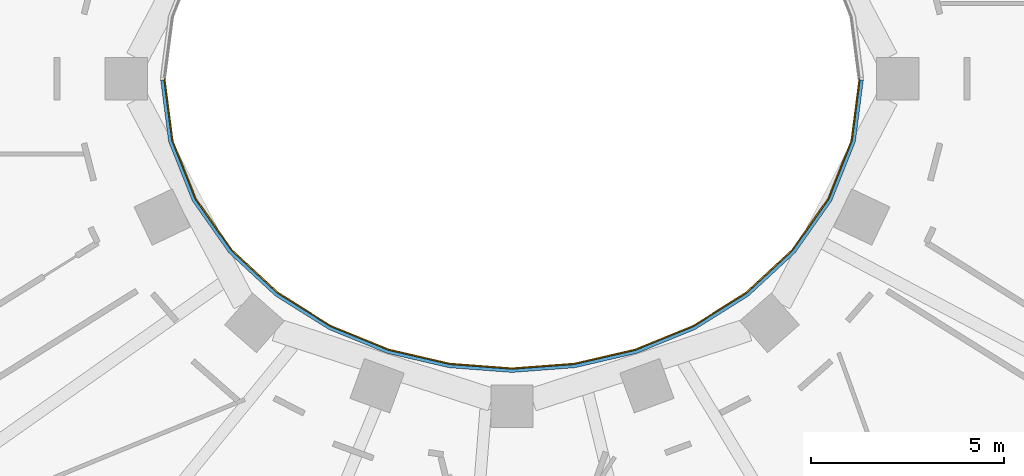
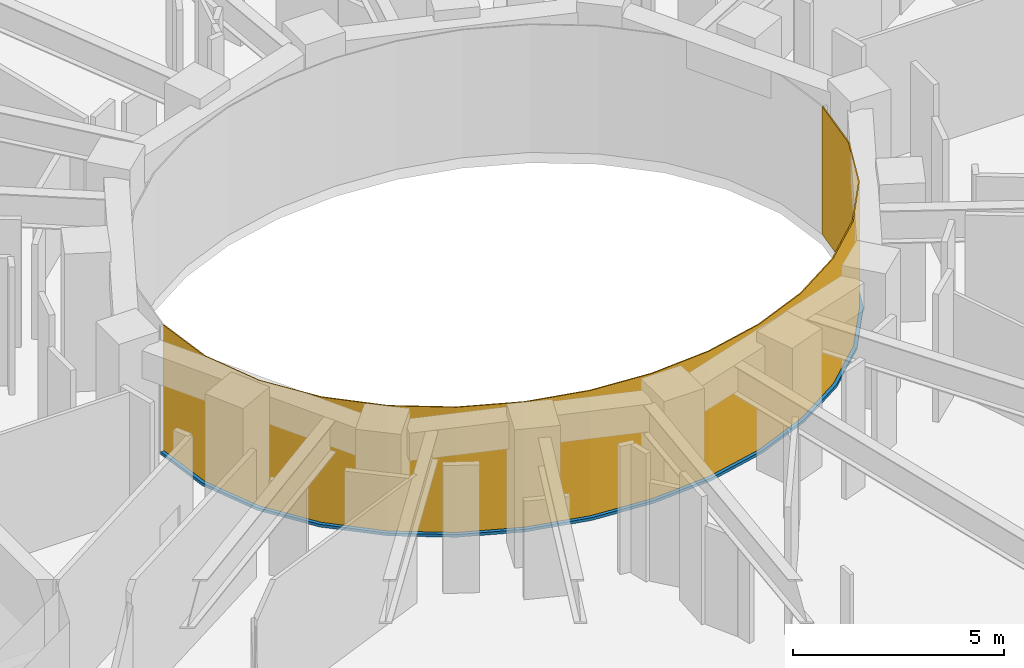
# One storey, part 10 of 16: 1 curtain wall, 1 member.
"""IFC4 building model written with IfcOpenShell, lengths in metres."""

from ifc_helpers import new_model, si_unit, direction, frame, origin, place, context, subcontext, project, spatial, polyline, outline, extrude, material, layer, layer_set, type_object, element, aggregate, save


model = new_model("IFC4")

# Units and contexts
model_context = context("Model", 3, precision=1e-05, world=origin(), true_north=direction((0.0, 1.0)))
body_context = subcontext(model_context, "Body", "Model", "MODEL_VIEW")
ifc_project = project(units=[si_unit("LENGTHUNIT", "METRE"), si_unit("AREAUNIT", "SQUARE_METRE"), si_unit("VOLUMEUNIT", "CUBIC_METRE"), si_unit("PLANEANGLEUNIT", "RADIAN"), si_unit("MASSUNIT", "GRAM", prefix="KILO")], contexts=[model_context])

# Member
ifc_material_1 = material(Name="Steel S355 fire-resisting frame", Category="steel")
member_type = type_object("IfcMemberType", Name="ENV-TRANSOM-W", PredefinedType="USERDEFINED", material=ifc_material_1)
site_placement = place(None, origin())
building_placement = place(site_placement, origin())
storey_placement = place(building_placement, frame((0.0, 0.0, 154.0)))
member_placement = place(storey_placement, origin())
member = element("IfcMember", 1, at=member_placement, type_object=member_type, Name="Transom W well 17-01", ObjectType="TRANSOM", PredefinedType="USERDEFINED", context=body_context, shape_type="SweptSolid", body=[
    extrude(outline(polyline([(-9.119384765625, -0.02783203125), (-8.910400390625, -1.63623046875), (-8.29833984375, -3.167236328125), (-7.35107421875, -4.5146484375), (-6.1455078125, -5.6337890625), (-4.75341796875, -6.50634765625), (-3.233642578125, -7.127685546875), (-1.635498046875, -7.498779296875), (0.0, -7.622314453125), (1.635498046875, -7.498779296875), (3.233642578125, -7.127685546875), (4.75341796875, -6.50634765625), (6.1455078125, -5.6337890625), (7.35107421875, -4.5146484375), (8.29833984375, -3.167236328125), (8.910400390625, -1.63623046875), (9.119384765625, -0.02783203125), (9.02880859375, -0.02783203125), (8.822509765625, -1.61328125), (8.21875, -3.124267578125), (7.282958984375, -4.455078125), (6.090576171875, -5.56201171875), (4.712158203125, -6.426025390625), (3.206298828125, -7.04150390625), (1.621826171875, -7.40966796875), (0.0, -7.531982421875), (-1.621826171875, -7.40966796875), (-3.206298828125, -7.04150390625), (-4.712158203125, -6.426025390625), (-6.090576171875, -5.56201171875), (-7.282958984375, -4.455078125), (-8.21875, -3.124267578125), (-8.822509765625, -1.61328125), (-9.02880859375, -0.02783203125), (-9.119384765625, -0.02783203125)])), origin(), (0.0, 0.0, 1.0), 0.080078125),
])

# Site, building, storey
site = spatial("IfcSite", under=ifc_project, at=site_placement, CompositionType="ELEMENT")
building = spatial("IfcBuilding", under=site, at=building_placement, Name="Noorbagh Ring Tower", CompositionType="ELEMENT")
storey = spatial("IfcBuildingStorey", under=building, at=storey_placement, Name="L35", CompositionType="ELEMENT", Elevation=154.0)

# Curtain wall
ifc_material_2 = material(Name="Glass fire-resisting E60 laminated", Category="glass")
ifc_layer = layer(ifc_material_2, 0.031982421875)
ifc_layer_set = layer_set([ifc_layer], Name="Glass fire-resisting E60 laminated")
curtain_wall_type = type_object("IfcCurtainWallType", Name="ENV-CW-W", PredefinedType="NOTDEFINED", material=ifc_layer_set)
curtain_wall_placement = place(storey_placement, origin())
curtain_wall = element("IfcCurtainWall", 2, at=curtain_wall_placement, inside=storey, type_object=curtain_wall_type, Name="Curtain wall W W17", PredefinedType="NOTDEFINED", context=body_context, shape_type="SweptSolid", body=[
    extrude(outline(polyline([(-9.0322265625, 0.0), (-8.822509765625, -1.61328125), (-8.21875, -3.124267578125), (-7.282958984375, -4.455078125), (-6.090576171875, -5.56201171875), (-4.712158203125, -6.426025390625), (-3.206298828125, -7.04150390625), (-1.621826171875, -7.40966796875), (0.0, -7.531982421875), (1.621826171875, -7.40966796875), (3.206298828125, -7.04150390625), (4.712158203125, -6.426025390625), (6.090576171875, -5.56201171875), (7.282958984375, -4.455078125), (8.21875, -3.124267578125), (8.822509765625, -1.61328125), (9.0322265625, 0.0), (9.0, 0.0), (8.79150390625, -1.605224609375), (8.1904296875, -3.10888671875), (7.2587890625, -4.43408203125), (6.071044921875, -5.53662109375), (4.697509765625, -6.3974609375), (3.196533203125, -7.010986328125), (1.6171875, -7.3779296875), (0.0, -7.5), (-1.6171875, -7.3779296875), (-3.196533203125, -7.010986328125), (-4.697509765625, -6.3974609375), (-6.071044921875, -5.53662109375), (-7.2587890625, -4.43408203125), (-8.1904296875, -3.10888671875), (-8.79150390625, -1.605224609375), (-9.0, 0.0), (-9.0322265625, 0.0)])), origin(), (0.0, 0.0, 1.0), 3.699951171875),
])

aggregate(curtain_wall, [member])

save(model, "model.ifc")
